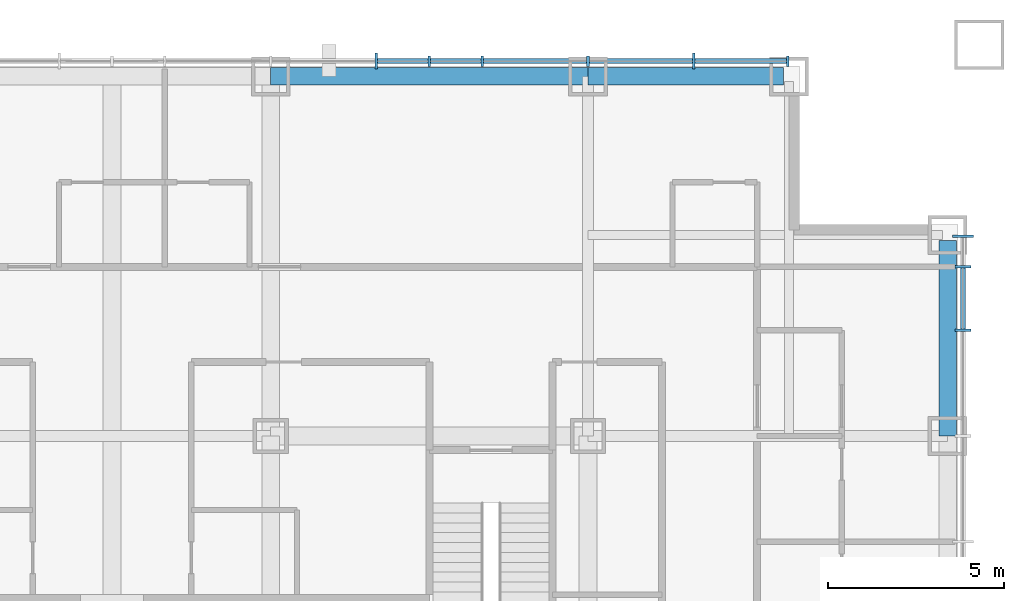
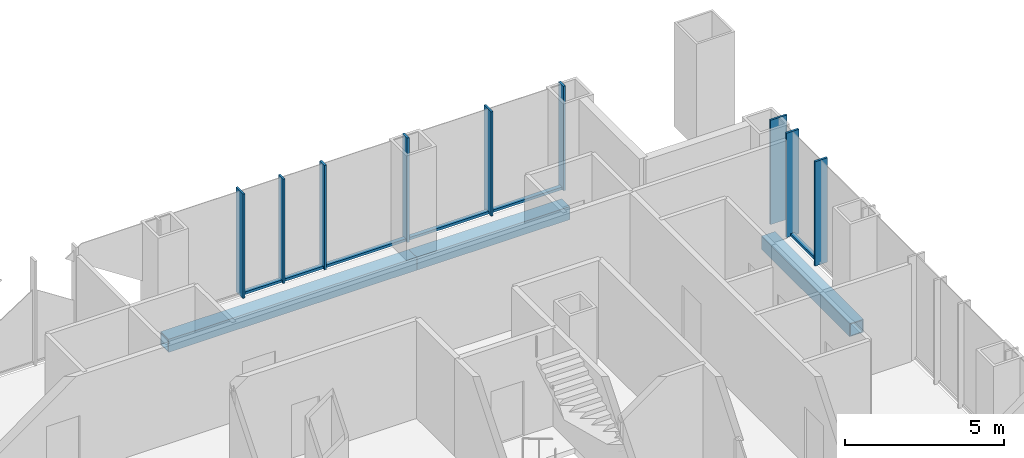
# One storey, part 6 of 16: 15 members, 3 beams, 2 elements without a shape of their own.
"""IFC4 building model written with IfcOpenShell, lengths in metres."""

from ifc_helpers import new_model, si_unit, direction, frame, origin, origin_2d, place, context, subcontext, project, spatial, rectangle, hollow_rectangle, extrude, material, layer, layer_set, material_profile, profile_set, type_object, element, aggregate, save


model = new_model("IFC4")

# Units and contexts
model_context = context("Model", 3, precision=1e-05, world=origin(), true_north=direction((0.0, 1.0)))
body_context = subcontext(model_context, "Body", "Model", "MODEL_VIEW")
ifc_project = project(units=[si_unit("LENGTHUNIT", "METRE"), si_unit("AREAUNIT", "SQUARE_METRE"), si_unit("VOLUMEUNIT", "CUBIC_METRE"), si_unit("PLANEANGLEUNIT", "RADIAN"), si_unit("MASSUNIT", "GRAM", prefix="KILO")], contexts=[model_context])

# Site, building, storey
site_placement = place(None, origin())
site = spatial("IfcSite", under=ifc_project, at=site_placement, CompositionType="ELEMENT")
building_placement = place(site_placement, origin())
building = spatial("IfcBuilding", under=site, at=building_placement, Name="Malebo Sky Hospital", CompositionType="ELEMENT")
storey_placement = place(building_placement, frame((0.0, 0.0, 152.0)))
storey = spatial("IfcBuildingStorey", under=building, at=storey_placement, Name="L36", CompositionType="ELEMENT", Elevation=152.0)

# Curtain wall, members
ifc_material_1 = material(Name="Anodised aluminium, natural silver", Category="aluminium")
ifc_layer_1 = layer(ifc_material_1, 0.25)
ifc_layer_set_1 = layer_set([ifc_layer_1], Name="WARD CURTAIN WALL NORTH AND SOUTH")
curtain_wall_type_1 = type_object("IfcCurtainWallType", Name="WARD CURTAIN WALL NORTH AND SOUTH", PredefinedType="NOTDEFINED", material=ifc_layer_set_1)
curtain_wall_1_placement = place(storey_placement, origin())
curtain_wall_1 = element("IfcCurtainWall", 1, at=curtain_wall_1_placement, inside=storey, type_object=curtain_wall_type_1, Name="NS curtain wall N", PredefinedType="NOTDEFINED")
ifc_material_profile_1 = material_profile(ifc_material_1, rectangle(XDim=0.14990234375, YDim=0.10009765625, at=origin_2d()), Name="ALUMINIUM TRANSOM 150x100")
ifc_profile_set_1 = profile_set([ifc_material_profile_1], Name="Anodised aluminium, natural silver")
member_type_1 = type_object("IfcMemberType", Name="ALUMINIUM TRANSOM 150x100", PredefinedType="USERDEFINED", material=ifc_profile_set_1)
member_1_placement = place(storey_placement, frame((67.53759765625, 86.135009765625, 0.050048828125), z_axis=(1.0, 0.0, 0.0), x_axis=(0.0, 1.0, 0.0)))
member_1 = element("IfcMember", 2, at=member_1_placement, type_object=member_type_1, Name="Transom 13", ObjectType="TRANSOM", PredefinedType="USERDEFINED", context=body_context, shape_type="SweptSolid", body=[
    extrude(rectangle(XDim=0.14990234375, YDim=0.10009765625, at=origin_2d()), origin(), (0.0, 0.0, 1.0), 1.4248046875),
])
member_2_placement = place(storey_placement, frame((69.03759765625, 86.135009765625, 0.050048828125), z_axis=(1.0, 0.0, 0.0), x_axis=(0.0, 1.0, 0.0)))
member_2 = element("IfcMember", 3, at=member_2_placement, type_object=member_type_1, Name="Transom 14", ObjectType="TRANSOM", PredefinedType="USERDEFINED", context=body_context, shape_type="SweptSolid", body=[
    extrude(rectangle(XDim=0.14990234375, YDim=0.10009765625, at=origin_2d()), origin(), (0.0, 0.0, 1.0), 1.4248046875),
])
member_3_placement = place(storey_placement, frame((70.53759765625, 86.135009765625, 0.050048828125), z_axis=(1.0, 0.0, 0.0), x_axis=(0.0, 1.0, 0.0)))
member_3 = element("IfcMember", 4, at=member_3_placement, type_object=member_type_1, Name="Transom 15", ObjectType="TRANSOM", PredefinedType="USERDEFINED", context=body_context, shape_type="SweptSolid", body=[
    extrude(rectangle(XDim=0.14990234375, YDim=0.10009765625, at=origin_2d()), origin(), (0.0, 0.0, 1.0), 2.9248046875),
])
member_4_placement = place(storey_placement, frame((73.53759765625, 86.135009765625, 0.050048828125), z_axis=(1.0, 0.0, 0.0), x_axis=(0.0, 1.0, 0.0)))
member_4 = element("IfcMember", 5, at=member_4_placement, type_object=member_type_1, Name="Transom 16", ObjectType="TRANSOM", PredefinedType="USERDEFINED", context=body_context, shape_type="SweptSolid", body=[
    extrude(rectangle(XDim=0.14990234375, YDim=0.10009765625, at=origin_2d()), origin(), (0.0, 0.0, 1.0), 2.9248046875),
])
member_5_placement = place(storey_placement, frame((76.53759765625, 86.135009765625, 0.050048828125), z_axis=(1.0, 0.0, 0.0), x_axis=(0.0, 1.0, 0.0)))
member_5 = element("IfcMember", 6, at=member_5_placement, type_object=member_type_1, Name="Transom 17", ObjectType="TRANSOM", PredefinedType="USERDEFINED", context=body_context, shape_type="SweptSolid", body=[
    extrude(rectangle(XDim=0.14990234375, YDim=0.10009765625, at=origin_2d()), origin(), (0.0, 0.0, 1.0), 2.58740234375),
])

# Curtain wall, member
ifc_layer_2 = layer(ifc_material_1, 0.25)
ifc_layer_set_2 = layer_set([ifc_layer_2], Name="WARD CURTAIN WALL EAST AND WEST")
curtain_wall_type_2 = type_object("IfcCurtainWallType", Name="WARD CURTAIN WALL EAST AND WEST", PredefinedType="NOTDEFINED", material=ifc_layer_set_2)
curtain_wall_2_placement = place(storey_placement, origin())
curtain_wall_2 = element("IfcCurtainWall", 7, at=curtain_wall_2_placement, inside=storey, type_object=curtain_wall_type_2, Name="EW curtain wall E", PredefinedType="NOTDEFINED")
member_6_placement = place(storey_placement, frame((84.135009765625, 80.262451171875, 0.050048828125), z_axis=(0.0, -1.0, 0.0), x_axis=(1.0, 0.0, 0.0)))
member_6 = element("IfcMember", 8, at=member_6_placement, type_object=member_type_1, Name="Transom 2", ObjectType="TRANSOM", PredefinedType="USERDEFINED", context=body_context, shape_type="SweptSolid", body=[
    extrude(rectangle(XDim=0.14990234375, YDim=0.10009765625, at=origin_2d()), origin(), (0.0, 0.0, 1.0), 1.724853515625),
])

# Member
ifc_material_profile_2 = material_profile(ifc_material_1, rectangle(XDim=0.074951171875, YDim=0.300048828125, at=origin_2d()), Name="CW1 ALUMINIUM FIN MULLION 75x300")
ifc_profile_set_2 = profile_set([ifc_material_profile_2], Name="Anodised aluminium, natural silver")
member_type_2 = type_object("IfcMemberType", Name="CW1 ALUMINIUM FIN MULLION 75x300", PredefinedType="MULLION", material=ifc_profile_set_2)
member_7_placement = place(storey_placement, frame((69.0, 86.135009765625, 0.0), z_axis=(0.0, 0.0, 1.0), x_axis=(1.0, 0.0, 0.0)))
member_7 = element("IfcMember", 9, at=member_7_placement, type_object=member_type_2, Name="Fin mullion 14", PredefinedType="MULLION", context=body_context, shape_type="SweptSolid", body=[
    extrude(rectangle(XDim=0.074951171875, YDim=0.300048828125, at=origin_2d()), origin(), (0.0, 0.0, 1.0), 4.0),
])

member_8_placement = place(storey_placement, frame((70.5, 86.135009765625, 0.0), z_axis=(0.0, 0.0, 1.0), x_axis=(1.0, 0.0, 0.0)))
member_8 = element("IfcMember", 10, at=member_8_placement, type_object=member_type_2, Name="Fin mullion 15", PredefinedType="MULLION", context=body_context, shape_type="SweptSolid", body=[
    extrude(rectangle(XDim=0.074951171875, YDim=0.300048828125, at=origin_2d()), origin(), (0.0, 0.0, 1.0), 4.0),
])

member_9_placement = place(storey_placement, frame((73.5, 86.135009765625, 0.0), z_axis=(0.0, 0.0, 1.0), x_axis=(1.0, 0.0, 0.0)))
member_9 = element("IfcMember", 11, at=member_9_placement, type_object=member_type_2, Name="Fin mullion 16", PredefinedType="MULLION", context=body_context, shape_type="SweptSolid", body=[
    extrude(rectangle(XDim=0.074951171875, YDim=0.300048828125, at=origin_2d()), origin(), (0.0, 0.0, 1.0), 4.0),
])

member_10_placement = place(storey_placement, frame((79.16259765625, 86.135009765625, 0.0), z_axis=(0.0, 0.0, 1.0), x_axis=(1.0, 0.0, 0.0)))
member_10 = element("IfcMember", 12, at=member_10_placement, type_object=member_type_2, Name="Fin mullion 18", PredefinedType="MULLION", context=body_context, shape_type="SweptSolid", body=[
    extrude(rectangle(XDim=0.074951171875, YDim=0.300048828125, at=origin_2d()), origin(), (0.0, 0.0, 1.0), 4.0),
])

ifc_material_profile_3 = material_profile(ifc_material_1, rectangle(XDim=0.074951171875, YDim=0.449951171875, at=origin_2d()), Name="CW1 ALUMINIUM FIN MULLION 75x450")
ifc_profile_set_3 = profile_set([ifc_material_profile_3], Name="Anodised aluminium, natural silver")
member_type_3 = type_object("IfcMemberType", Name="CW1 ALUMINIUM FIN MULLION 75x450", PredefinedType="MULLION", material=ifc_profile_set_3)
member_11_placement = place(storey_placement, frame((67.5, 86.135009765625, 0.0), z_axis=(0.0, 0.0, 1.0), x_axis=(1.0, 0.0, 0.0)))
member_11 = element("IfcMember", 13, at=member_11_placement, type_object=member_type_3, Name="Fin mullion 13", PredefinedType="MULLION", context=body_context, shape_type="SweptSolid", body=[
    extrude(rectangle(XDim=0.074951171875, YDim=0.449951171875, at=origin_2d()), origin(), (0.0, 0.0, 1.0), 4.0),
])

member_12_placement = place(storey_placement, frame((76.5, 86.135009765625, 0.0), z_axis=(0.0, 0.0, 1.0), x_axis=(1.0, 0.0, 0.0)))
member_12 = element("IfcMember", 14, at=member_12_placement, type_object=member_type_3, Name="Fin mullion 17", PredefinedType="MULLION", context=body_context, shape_type="SweptSolid", body=[
    extrude(rectangle(XDim=0.074951171875, YDim=0.449951171875, at=origin_2d()), origin(), (0.0, 0.0, 1.0), 4.0),
])

aggregate(curtain_wall_1, [member_11, member_7, member_8, member_9, member_12, member_10, member_1, member_2, member_3, member_4, member_5])

ifc_material_profile_4 = material_profile(ifc_material_1, rectangle(XDim=0.074951171875, YDim=0.449951171875, at=origin_2d()), Name="CW2 ALUMINIUM FIN MULLION 75x450")
ifc_profile_set_4 = profile_set([ifc_material_profile_4], Name="Anodised aluminium, natural silver")
member_type_4 = type_object("IfcMemberType", Name="CW2 ALUMINIUM FIN MULLION 75x450", PredefinedType="MULLION", material=ifc_profile_set_4)
member_13_placement = place(storey_placement, frame((84.135009765625, 80.300048828125, 0.0), z_axis=(0.0, 0.0, 1.0), x_axis=(0.0, -1.0, 0.0)))
member_13 = element("IfcMember", 15, at=member_13_placement, type_object=member_type_4, Name="Fin mullion 2", PredefinedType="MULLION", context=body_context, shape_type="SweptSolid", body=[
    extrude(rectangle(XDim=0.074951171875, YDim=0.449951171875, at=origin_2d()), origin(), (0.0, 0.0, 1.0), 4.0),
])

member_14_placement = place(storey_placement, frame((84.135009765625, 78.5, 0.0), z_axis=(0.0, 0.0, 1.0), x_axis=(0.0, -1.0, 0.0)))
member_14 = element("IfcMember", 16, at=member_14_placement, type_object=member_type_4, Name="Fin mullion 3", PredefinedType="MULLION", context=body_context, shape_type="SweptSolid", body=[
    extrude(rectangle(XDim=0.074951171875, YDim=0.449951171875, at=origin_2d()), origin(), (0.0, 0.0, 1.0), 4.0),
])

ifc_material_profile_5 = material_profile(ifc_material_1, rectangle(XDim=0.074951171875, YDim=0.60009765625, at=origin_2d()), Name="CW2 ALUMINIUM FIN MULLION 75x600")
ifc_profile_set_5 = profile_set([ifc_material_profile_5], Name="Anodised aluminium, natural silver")
member_type_5 = type_object("IfcMemberType", Name="CW2 ALUMINIUM FIN MULLION 75x600", PredefinedType="MULLION", material=ifc_profile_set_5)
member_15_placement = place(storey_placement, frame((84.135009765625, 81.16259765625, 0.0), z_axis=(0.0, 0.0, 1.0), x_axis=(0.0, -1.0, 0.0)))
member_15 = element("IfcMember", 17, at=member_15_placement, type_object=member_type_5, Name="Fin mullion 1", PredefinedType="MULLION", context=body_context, shape_type="SweptSolid", body=[
    extrude(rectangle(XDim=0.074951171875, YDim=0.60009765625, at=origin_2d()), origin(), (0.0, 0.0, 1.0), 4.0),
])

aggregate(curtain_wall_2, [member_15, member_13, member_14, member_6])

# Beams
ifc_material_2 = material(Name="Steel S460", Category="steel")
ifc_material_profile_6 = material_profile(ifc_material_2, hollow_rectangle(XDim=0.5, YDim=0.5, WallThickness=0.030029296875, at=origin_2d()), Name="BOX 500x500x30")
ifc_profile_set_6 = profile_set([ifc_material_profile_6], Name="Steel S460")
beam_type = type_object("IfcBeamType", Name="EDGE BEAM BOX 500x500x30", PredefinedType="BEAM", material=ifc_profile_set_6)
beam_1_placement = place(storey_placement, frame((83.699951171875, 75.5, -0.5), z_axis=(0.0, 1.0, 0.0), x_axis=(-1.0, 0.0, 0.0)))
element("IfcBeam", 18, at=beam_1_placement, inside=storey, type_object=beam_type, Name="Beam 033 L36", PredefinedType="BEAM", context=body_context, shape_type="SweptSolid", body=[
    extrude(hollow_rectangle(XDim=0.5, YDim=0.5, WallThickness=0.030029296875, at=origin_2d()), origin(), (0.0, 0.0, 1.0), 5.550048828125),
])
beam_2_placement = place(storey_placement, frame((64.5, 85.699951171875, -0.5), z_axis=(1.0, 0.0, 0.0), x_axis=(0.0, 1.0, 0.0)))
element("IfcBeam", 19, at=beam_2_placement, inside=storey, type_object=beam_type, Name="Beam 066 L36", PredefinedType="BEAM", context=body_context, shape_type="SweptSolid", body=[
    extrude(hollow_rectangle(XDim=0.5, YDim=0.5, WallThickness=0.030029296875, at=origin_2d()), origin(), (0.0, 0.0, 1.0), 9.0),
])
beam_3_placement = place(storey_placement, frame((73.5, 85.699951171875, -0.5), z_axis=(1.0, 0.0, 0.0), x_axis=(0.0, 1.0, 0.0)))
element("IfcBeam", 20, at=beam_3_placement, inside=storey, type_object=beam_type, Name="Beam 067 L36", PredefinedType="BEAM", context=body_context, shape_type="SweptSolid", body=[
    extrude(hollow_rectangle(XDim=0.5, YDim=0.5, WallThickness=0.030029296875, at=origin_2d()), origin(), (0.0, 0.0, 1.0), 5.550048828125),
])

save(model, "model.ifc")
